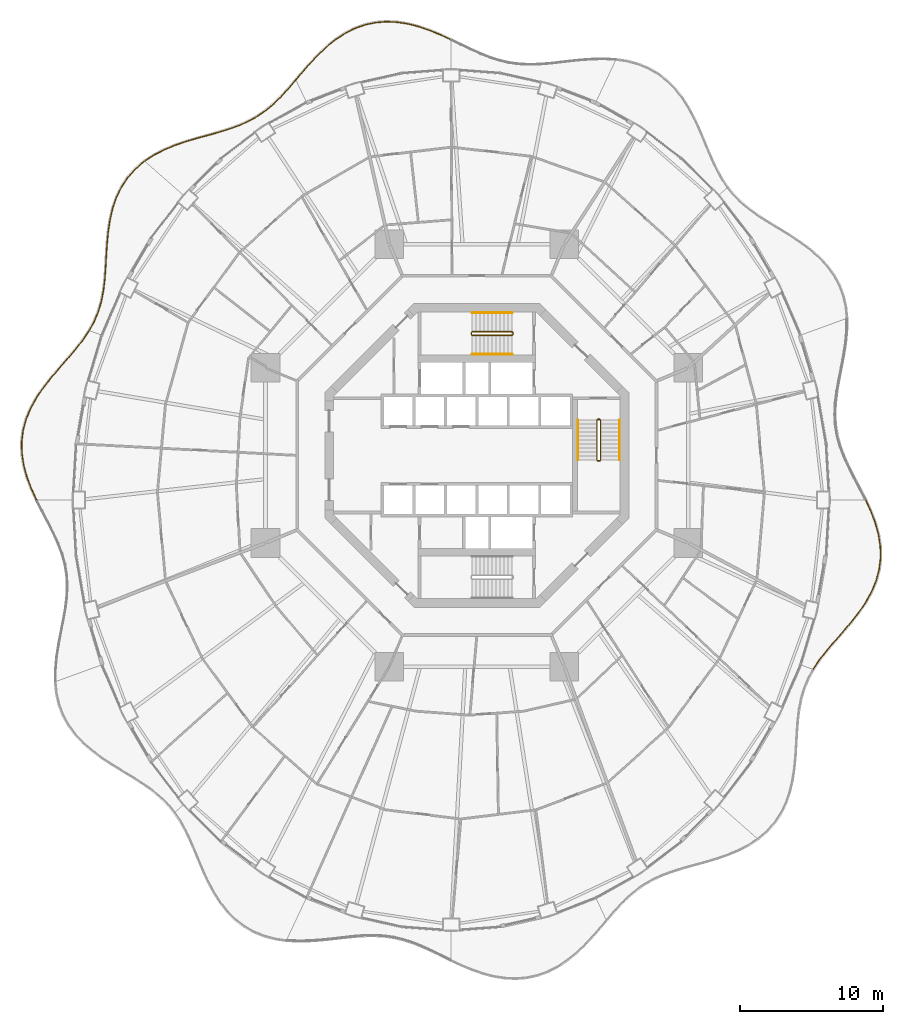
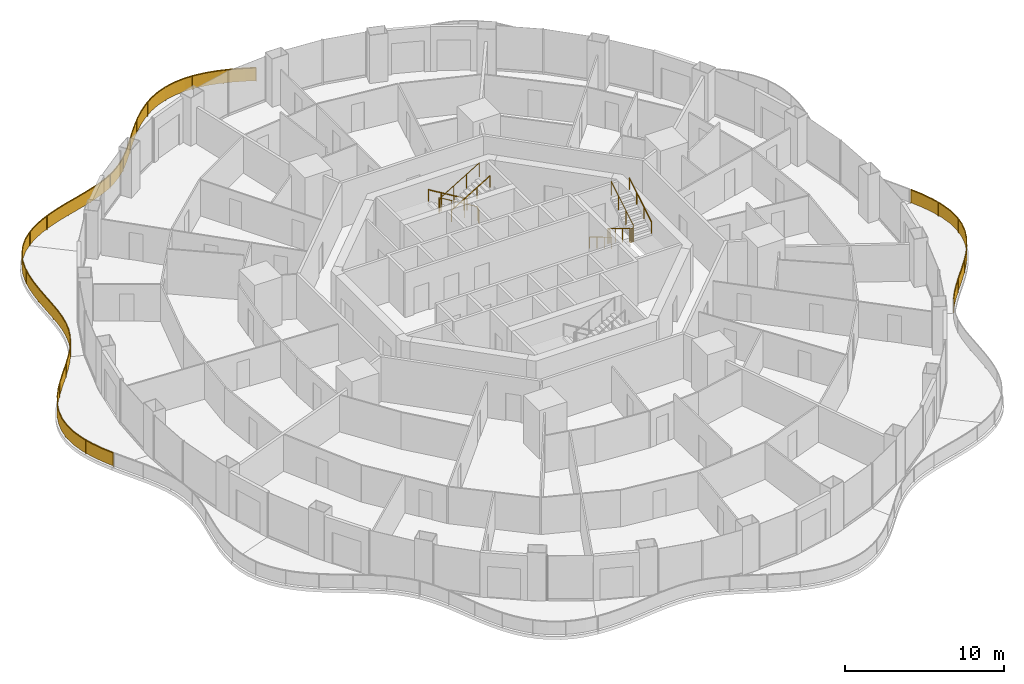
# One storey, part 19 of 20: 11 railings.
"""IFC4 building model written with IfcOpenShell, lengths in metres."""

from ifc_helpers import new_model, si_unit, direction, frame, origin, origin_2d, place, context, subcontext, project, spatial, polyline, rectangle, circle, outline, extrude, material, type_object, element, save


model = new_model("IFC4")

# Units and contexts
model_context = context("Model", 3, precision=1e-05, world=origin(), true_north=direction((0.0, 1.0)))
body_context = subcontext(model_context, "Body", "Model", "MODEL_VIEW")
ifc_project = project(units=[si_unit("LENGTHUNIT", "METRE"), si_unit("AREAUNIT", "SQUARE_METRE"), si_unit("VOLUMEUNIT", "CUBIC_METRE"), si_unit("PLANEANGLEUNIT", "RADIAN"), si_unit("MASSUNIT", "GRAM", prefix="KILO")], contexts=[model_context])

# Site, building, storey
site_placement = place(None, origin())
site = spatial("IfcSite", under=ifc_project, at=site_placement, CompositionType="ELEMENT")
building_placement = place(site_placement, origin())
building = spatial("IfcBuilding", under=site, at=building_placement, Name="Nagisa Residences", CompositionType="ELEMENT")
storey_placement = place(building_placement, frame((0.0, 0.0, 152.89990234375)))
storey = spatial("IfcBuildingStorey", under=building, at=storey_placement, Name="L38", CompositionType="ELEMENT", Elevation=152.89990234375)

# Railings
ifc_material_1 = material(Name="Stainless steel 316", Category="steel")
railing_type_1 = type_object("IfcRailingType", Name="BALCONY GUARD 1100", PredefinedType="BALUSTRADE", material=ifc_material_1)
railing_1_placement = place(storey_placement, frame((-1.834228515625, 29.08935546875, 0.0)))
element("IfcRailing", 1, at=railing_1_placement, inside=storey, type_object=railing_type_1, Name="guard:L38:bal04-0", PredefinedType="BALUSTRADE", context=body_context, shape_type="SweptSolid", body=[
    extrude(outline(polyline([(-0.69189453125, 0.2958984375), (-0.010498046875, -0.022705078125), (0.010498046875, 0.022705078125), (-0.671875, 0.341796875), (-1.416748046875, 0.65087890625), (-2.177734375, 0.914306640625), (-2.950439453125, 1.114990234375), (-3.727294921875, 1.238525390625), (-4.487548828125, 1.275390625), (-5.25390625, 1.21337890625), (-6.00244140625, 1.052001953125), (-6.72607421875, 0.793212890625), (-7.418701171875, 0.443359375), (-8.0595703125, 0.017578125), (-8.68017578125, -0.48095703125), (-9.265380859375, -1.030029296875), (-9.818359375, -1.613037109375), (-10.343994140625, -2.2109375), (-10.818603515625, -2.773681640625), (-10.780517578125, -2.805908203125), (-10.305908203125, -2.24365234375), (-9.78125, -1.646728515625), (-9.230224609375, -1.065673828125), (-8.6474609375, -0.5185546875), (-8.02978515625, -0.02294921875), (-7.393310546875, 0.39990234375), (-6.7060546875, 0.747314453125), (-5.98876953125, 1.003662109375), (-5.24658203125, 1.16357421875), (-4.486572265625, 1.22509765625), (-3.732666015625, 1.188720703125), (-2.960693359375, 1.066162109375), (-2.1923828125, 0.866455078125), (-1.434326171875, 0.60400390625), (-0.69189453125, 0.2958984375)])), frame((0.0, 0.0, 1.050048828125)), (0.0, 0.0, 1.0), 0.050048828125),
    extrude(outline(polyline([(-0.684814453125, 0.3125), (-0.0029296875, -0.00634765625), (0.0029296875, 0.00634765625), (-0.678955078125, 0.3251953125), (-1.423095703125, 0.634033203125), (-2.18310546875, 0.89697265625), (-2.9541015625, 1.097412109375), (-3.729248046875, 1.220703125), (-4.487060546875, 1.25732421875), (-5.251220703125, 1.1953125), (-5.99755859375, 1.03466796875), (-6.71875, 0.776611328125), (-7.409423828125, 0.427734375), (-8.048828125, 0.0029296875), (-8.66845703125, -0.494384765625), (-9.252685546875, -1.04296875), (-9.804931640625, -1.625244140625), (-10.330322265625, -2.22265625), (-10.804931640625, -2.785400390625), (-10.794189453125, -2.794189453125), (-10.319580078125, -2.23193359375), (-9.794677734375, -1.634521484375), (-9.242919921875, -1.052734375), (-8.6591796875, -0.505126953125), (-8.04052734375, -0.00830078125), (-7.402587890625, 0.41552734375), (-6.71337890625, 0.763916015625), (-5.99365234375, 1.02099609375), (-5.249267578125, 1.181640625), (-4.487060546875, 1.2431640625), (-3.730712890625, 1.20654296875), (-2.95703125, 1.083740234375), (-2.18701171875, 0.8837890625), (-1.427978515625, 0.620849609375), (-0.684814453125, 0.3125)])), frame((0.0, 0.0, 0.06005859375)), (0.0, 0.0, 1.0), 0.989990234375),
    extrude(rectangle(XDim=0.0400390625, YDim=0.0400390625, at=origin_2d()), origin(), (0.0, 0.0, 1.0), 1.050048828125),
    extrude(rectangle(XDim=0.0400390625, YDim=0.0400390625, at=origin_2d()), frame((-1.916015625, 0.797119140625, 0.0)), (0.0, 0.0, 1.0), 1.050048828125),
    extrude(rectangle(XDim=0.0400390625, YDim=0.0400390625, at=origin_2d()), frame((-3.941650390625, 1.223876953125, 0.0)), (0.0, 0.0, 1.0), 1.050048828125),
    extrude(rectangle(XDim=0.0400390625, YDim=0.0400390625, at=origin_2d()), frame((-5.998046875, 1.02685546875, 0.0)), (0.0, 0.0, 1.0), 1.050048828125),
    extrude(rectangle(XDim=0.0400390625, YDim=0.0400390625, at=origin_2d()), frame((-7.85693359375, 0.1220703125, 0.0)), (0.0, 0.0, 1.0), 1.050048828125),
    extrude(rectangle(XDim=0.0400390625, YDim=0.0400390625, at=origin_2d()), frame((-9.42431640625, -1.234130859375, 0.0)), (0.0, 0.0, 1.0), 1.050048828125),
    extrude(rectangle(XDim=0.0400390625, YDim=0.0400390625, at=origin_2d()), frame((-10.799560546875, -2.789794921875, 0.0)), (0.0, 0.0, 1.0), 1.050048828125),
])
railing_2_placement = place(storey_placement, frame((-12.681396484375, 26.240966796875, 0.0)))
element("IfcRailing", 2, at=railing_2_placement, inside=storey, type_object=railing_type_1, Name="guard:L38:bal05-0", PredefinedType="BALUSTRADE", context=body_context, shape_type="SweptSolid", body=[
    extrude(outline(polyline([(-0.464111328125, -0.581298828125), (0.01904296875, -0.016357421875), (-0.01904296875, 0.016357421875), (-0.501708984375, -0.548095703125), (-1.015625, -1.110107421875), (-1.5400390625, -1.62451171875), (-2.08544921875, -2.084228515625), (-2.661376953125, -2.486083984375), (-3.259521484375, -2.822509765625), (-3.912353515625, -3.1181640625), (-4.605712890625, -3.373291015625), (-5.33642578125, -3.60009765625), (-6.097412109375, -3.813720703125), (-6.866455078125, -4.01904296875), (-7.65478515625, -4.25341796875), (-8.435546875, -4.521240234375), (-9.193115234375, -4.835693359375), (-9.911865234375, -5.206787109375), (-10.53759765625, -5.61474609375), (-10.51025390625, -5.65673828125), (-9.886474609375, -5.250244140625), (-9.172119140625, -4.881103515625), (-8.41796875, -4.568115234375), (-7.6396484375, -4.30126953125), (-6.852783203125, -4.0673828125), (-6.084228515625, -3.862060546875), (-5.322265625, -3.64794921875), (-4.589599609375, -3.420654296875), (-3.893310546875, -3.16455078125), (-3.237060546875, -2.867431640625), (-2.634521484375, -2.528564453125), (-2.05517578125, -2.123779296875), (-1.50634765625, -1.66162109375), (-0.9794921875, -1.144775390625), (-0.464111328125, -0.581298828125)])), frame((0.0, 0.0, 1.050048828125)), (0.0, 0.0, 1.0), 0.050048828125),
    extrude(outline(polyline([(-0.477783203125, -0.5693359375), (0.00537109375, -0.004638671875), (-0.00537109375, 0.004638671875), (-0.488037109375, -0.56005859375), (-1.002685546875, -1.12255859375), (-1.52783203125, -1.637939453125), (-2.074462890625, -2.098388671875), (-2.651611328125, -2.50146484375), (-3.25146484375, -2.838623046875), (-3.905517578125, -3.134765625), (-4.599853515625, -3.390380859375), (-5.331298828125, -3.617431640625), (-6.0927734375, -3.8310546875), (-6.861572265625, -4.036376953125), (-7.6494140625, -4.270751953125), (-8.42919921875, -4.5380859375), (-9.185546875, -4.85205078125), (-9.902587890625, -5.222412109375), (-10.52783203125, -5.6298828125), (-10.52001953125, -5.6416015625), (-9.895751953125, -5.234619140625), (-9.1796875, -4.86474609375), (-8.42431640625, -4.55126953125), (-7.64501953125, -4.283935546875), (-6.857666015625, -4.050048828125), (-6.0888671875, -3.8447265625), (-5.327392578125, -3.630615234375), (-4.595458984375, -3.403564453125), (-3.900146484375, -3.14794921875), (-3.2451171875, -2.851318359375), (-2.644287109375, -2.51318359375), (-2.066162109375, -2.109619140625), (-1.5185546875, -1.648193359375), (-0.992431640625, -1.13232421875), (-0.477783203125, -0.5693359375)])), frame((0.0, 0.0, 0.06005859375)), (0.0, 0.0, 1.0), 0.989990234375),
    extrude(rectangle(XDim=0.0400390625, YDim=0.0400390625, at=origin_2d()), origin(), (0.0, 0.0, 1.0), 1.050048828125),
    extrude(rectangle(XDim=0.0400390625, YDim=0.0400390625, at=origin_2d()), frame((-1.371826171875, -1.494384765625, 0.0)), (0.0, 0.0, 1.0), 1.050048828125),
    extrude(rectangle(XDim=0.0400390625, YDim=0.0400390625, at=origin_2d()), frame((-2.99462890625, -2.702392578125, 0.0)), (0.0, 0.0, 1.0), 1.050048828125),
    extrude(rectangle(XDim=0.0400390625, YDim=0.0400390625, at=origin_2d()), frame((-4.864990234375, -3.47998046875, 0.0)), (0.0, 0.0, 1.0), 1.050048828125),
    extrude(rectangle(XDim=0.0400390625, YDim=0.0400390625, at=origin_2d()), frame((-6.81787109375, -4.031982421875, 0.0)), (0.0, 0.0, 1.0), 1.050048828125),
    extrude(rectangle(XDim=0.0400390625, YDim=0.0400390625, at=origin_2d()), frame((-8.741455078125, -4.67529296875, 0.0)), (0.0, 0.0, 1.0), 1.050048828125),
    extrude(rectangle(XDim=0.0400390625, YDim=0.0400390625, at=origin_2d()), frame((-10.52392578125, -5.6357421875, 0.0)), (0.0, 0.0, 1.0), 1.050048828125),
])
railing_3_placement = place(storey_placement, frame((-23.267822265625, 20.559326171875, 0.0)))
element("IfcRailing", 3, at=railing_3_placement, inside=storey, type_object=railing_type_1, Name="guard:L38:bal06-0", PredefinedType="BALUSTRADE", context=body_context, shape_type="SweptSolid", body=[
    extrude(outline(polyline([(-0.57177734375, -0.515380859375), (0.01611328125, -0.01904296875), (-0.01611328125, 0.01904296875), (-0.60693359375, -0.479248046875), (-1.1494140625, -1.083984375), (-1.601318359375, -1.75927734375), (-1.96142578125, -2.496337890625), (-2.2333984375, -3.283447265625), (-2.418212890625, -4.09619140625), (-2.546142578125, -4.944091796875), (-2.62646484375, -5.800048828125), (-2.67919921875, -6.65087890625), (-2.725830078125, -7.4853515625), (-2.781005859375, -8.280029296875), (-2.877197265625, -9.055908203125), (-3.024658203125, -9.796142578125), (-3.235107421875, -10.501953125), (-3.5166015625, -11.176025390625), (-3.850830078125, -11.78857421875), (-3.806884765625, -11.8125), (-3.47119140625, -11.197509765625), (-3.187744140625, -10.5185546875), (-2.975830078125, -9.808349609375), (-2.827880859375, -9.063720703125), (-2.731201171875, -8.284912109375), (-2.676025390625, -7.48828125), (-2.62939453125, -6.65380859375), (-2.57666015625, -5.803955078125), (-2.496337890625, -4.949951171875), (-2.368896484375, -4.10546875), (-2.18505859375, -3.297119140625), (-1.9150390625, -2.515380859375), (-1.557861328125, -1.7841796875), (-1.10986328125, -1.11474609375), (-0.57177734375, -0.515380859375)])), frame((0.0, 0.0, 1.050048828125)), (0.0, 0.0, 1.0), 0.050048828125),
    extrude(outline(polyline([(-0.58447265625, -0.50244140625), (0.00439453125, -0.00537109375), (-0.00439453125, 0.00537109375), (-0.59423828125, -0.4921875), (-1.13525390625, -1.094970703125), (-1.585693359375, -1.768310546875), (-1.94482421875, -2.503173828125), (-2.216064453125, -3.288330078125), (-2.400390625, -4.099609375), (-2.528076171875, -4.9462890625), (-2.608642578125, -5.801513671875), (-2.661376953125, -6.65185546875), (-2.7080078125, -7.486328125), (-2.76318359375, -8.28173828125), (-2.859375, -9.05859375), (-3.007080078125, -9.800537109375), (-3.218017578125, -10.5078125), (-3.500244140625, -11.183837890625), (-3.8349609375, -11.797119140625), (-3.82275390625, -11.803955078125), (-3.487548828125, -11.189697265625), (-3.204833984375, -10.5126953125), (-2.993408203125, -9.803955078125), (-2.845703125, -9.06103515625), (-2.7490234375, -8.283203125), (-2.69384765625, -7.4873046875), (-2.647216796875, -6.65283203125), (-2.594482421875, -5.802490234375), (-2.514404296875, -4.94775390625), (-2.38671875, -4.10205078125), (-2.202392578125, -3.292236328125), (-1.931640625, -2.508544921875), (-1.573486328125, -1.775146484375), (-1.1240234375, -1.103759765625), (-0.58447265625, -0.50244140625)])), frame((0.0, 0.0, 0.06005859375)), (0.0, 0.0, 1.0), 0.989990234375),
    extrude(rectangle(XDim=0.0400390625, YDim=0.0400390625, at=origin_2d()), origin(), (0.0, 0.0, 1.0), 1.050048828125),
    extrude(rectangle(XDim=0.0400390625, YDim=0.0400390625, at=origin_2d()), frame((-1.435302734375, -1.55615234375, 0.0)), (0.0, 0.0, 1.0), 1.050048828125),
    extrude(rectangle(XDim=0.0400390625, YDim=0.0400390625, at=origin_2d()), frame((-2.2587890625, -3.50830078125, 0.0)), (0.0, 0.0, 1.0), 1.050048828125),
    extrude(rectangle(XDim=0.0400390625, YDim=0.0400390625, at=origin_2d()), frame((-2.58349609375, -5.6103515625, 0.0)), (0.0, 0.0, 1.0), 1.050048828125),
    extrude(rectangle(XDim=0.0400390625, YDim=0.0400390625, at=origin_2d()), frame((-2.71826171875, -7.735595703125, 0.0)), (0.0, 0.0, 1.0), 1.050048828125),
    extrude(rectangle(XDim=0.0400390625, YDim=0.0400390625, at=origin_2d()), frame((-3.011962890625, -9.842041015625, 0.0)), (0.0, 0.0, 1.0), 1.050048828125),
    extrude(rectangle(XDim=0.0400390625, YDim=0.0400390625, at=origin_2d()), frame((-3.828857421875, -11.800537109375, 0.0)), (0.0, 0.0, 1.0), 1.050048828125),
])
railing_4_placement = place(storey_placement, frame((-27.134765625, 8.699462890625, 0.0)))
element("IfcRailing", 4, at=railing_4_placement, inside=storey, type_object=railing_type_1, Name="guard:L38:bal07-0", PredefinedType="BALUSTRADE", context=body_context, shape_type="SweptSolid", body=[
    extrude(outline(polyline([(-0.39501953125, -0.631591796875), (0.020751953125, -0.013916015625), (-0.020751953125, 0.013916015625), (-0.435546875, -0.602294921875), (-0.935302734375, -1.24365234375), (-1.480712890625, -1.885498046875), (-2.051025390625, -2.537109375), (-2.621826171875, -3.206298828125), (-3.1640625, -3.885498046875), (-3.658935546875, -4.606201171875), (-4.079345703125, -5.355224609375), (-4.40625, -6.131103515625), (-4.625, -6.9306640625), (-4.725830078125, -7.73388671875), (-4.71044921875, -8.56103515625), (-4.583740234375, -9.391357421875), (-4.3583984375, -10.217529296875), (-4.052001953125, -11.033447265625), (-3.7041015625, -11.79296875), (-3.65869140625, -11.77197265625), (-4.005615234375, -11.014404296875), (-4.310546875, -10.201904296875), (-4.534912109375, -9.381103515625), (-4.66064453125, -8.556640625), (-4.675537109375, -7.736328125), (-4.57568359375, -6.9404296875), (-4.35888671875, -6.147705078125), (-4.034423828125, -5.377197265625), (-3.616455078125, -4.632568359375), (-3.1240234375, -3.915283203125), (-2.583251953125, -3.238037109375), (-2.012939453125, -2.56982421875), (-1.442626953125, -1.918212890625), (-0.896240234375, -1.275390625), (-0.39501953125, -0.631591796875)])), frame((0.0, 0.0, 1.050048828125)), (0.0, 0.0, 1.0), 0.050048828125),
    extrude(outline(polyline([(-0.40966796875, -0.62109375), (0.005859375, -0.00390625), (-0.005859375, 0.00390625), (-0.4208984375, -0.61279296875), (-0.921142578125, -1.255126953125), (-1.467041015625, -1.897216796875), (-2.037353515625, -2.548828125), (-2.60791015625, -3.2177734375), (-3.149658203125, -3.896240234375), (-3.6435546875, -4.61572265625), (-4.063232421875, -5.363037109375), (-4.38916015625, -6.13720703125), (-4.607177734375, -6.93408203125), (-4.707763671875, -7.734619140625), (-4.692626953125, -8.559326171875), (-4.566162109375, -9.3876953125), (-4.341064453125, -10.2119140625), (-4.03515625, -11.026611328125), (-3.687744140625, -11.785400390625), (-3.675048828125, -11.779541015625), (-4.0224609375, -11.021240234375), (-4.327880859375, -10.20751953125), (-4.552490234375, -9.384765625), (-4.678466796875, -8.558349609375), (-4.693603515625, -7.735595703125), (-4.593505859375, -6.93701171875), (-4.3759765625, -6.1416015625), (-4.050537109375, -5.369384765625), (-3.6318359375, -4.623046875), (-3.138427734375, -3.904541015625), (-2.59716796875, -3.2265625), (-2.026611328125, -2.55810546875), (-1.456298828125, -1.906494140625), (-0.910400390625, -1.263916015625), (-0.40966796875, -0.62109375)])), frame((0.0, 0.0, 0.06005859375)), (0.0, 0.0, 1.0), 0.989990234375),
    extrude(rectangle(XDim=0.0400390625, YDim=0.0400390625, at=origin_2d()), origin(), (0.0, 0.0, 1.0), 1.050048828125),
    extrude(rectangle(XDim=0.0400390625, YDim=0.0400390625, at=origin_2d()), frame((-1.3564453125, -1.77783203125, 0.0)), (0.0, 0.0, 1.0), 1.050048828125),
    extrude(rectangle(XDim=0.0400390625, YDim=0.0400390625, at=origin_2d()), frame((-2.80908203125, -3.480712890625, 0.0)), (0.0, 0.0, 1.0), 1.050048828125),
    extrude(rectangle(XDim=0.0400390625, YDim=0.0400390625, at=origin_2d()), frame((-4.043701171875, -5.3427734375, 0.0)), (0.0, 0.0, 1.0), 1.050048828125),
    extrude(rectangle(XDim=0.0400390625, YDim=0.0400390625, at=origin_2d()), frame((-4.66845703125, -7.478515625, 0.0)), (0.0, 0.0, 1.0), 1.050048828125),
    extrude(rectangle(XDim=0.0400390625, YDim=0.0400390625, at=origin_2d()), frame((-4.475341796875, -9.694091796875, 0.0)), (0.0, 0.0, 1.0), 1.050048828125),
    extrude(rectangle(XDim=0.0400390625, YDim=0.0400390625, at=origin_2d()), frame((-3.681396484375, -11.782470703125, 0.0)), (0.0, 0.0, 1.0), 1.050048828125),
])
railing_5_placement = place(storey_placement, frame((23.534912109375, -14.934814453125, 0.0)))
element("IfcRailing", 5, at=railing_5_placement, inside=storey, type_object=railing_type_1, Name="guard:L38:bal15-0", PredefinedType="BALUSTRADE", context=body_context, shape_type="SweptSolid", body=[
    extrude(outline(polyline([(0.39501953125, 0.631591796875), (-0.020751953125, 0.013916015625), (0.020751953125, -0.013916015625), (0.435546875, 0.602294921875), (0.93505859375, 1.24365234375), (1.48046875, 1.885498046875), (2.05078125, 2.537109375), (2.62158203125, 3.206298828125), (3.163818359375, 3.885498046875), (3.65869140625, 4.606201171875), (4.079345703125, 5.355224609375), (4.40625, 6.131103515625), (4.625, 6.9306640625), (4.7255859375, 7.73388671875), (4.71044921875, 8.56103515625), (4.583740234375, 9.39111328125), (4.358154296875, 10.217529296875), (4.0517578125, 11.033203125), (3.7041015625, 11.79296875), (3.65869140625, 11.77197265625), (4.00537109375, 11.01416015625), (4.310302734375, 10.201904296875), (4.534912109375, 9.380859375), (4.66064453125, 8.556640625), (4.67529296875, 7.736328125), (4.57568359375, 6.9404296875), (4.35888671875, 6.147705078125), (4.034423828125, 5.377197265625), (3.6162109375, 4.632568359375), (3.123779296875, 3.915283203125), (2.5830078125, 3.238037109375), (2.0126953125, 2.56982421875), (1.4423828125, 1.918212890625), (0.89599609375, 1.275390625), (0.39501953125, 0.631591796875)])), frame((0.0, 0.0, 1.050048828125)), (0.0, 0.0, 1.0), 0.050048828125),
    extrude(outline(polyline([(0.40966796875, 0.62109375), (-0.005859375, 0.00390625), (0.005859375, -0.00390625), (0.4208984375, 0.61279296875), (0.9208984375, 1.255126953125), (1.466796875, 1.897216796875), (2.037109375, 2.548828125), (2.607666015625, 3.2177734375), (3.1494140625, 3.896240234375), (3.643310546875, 4.61572265625), (4.063232421875, 5.363037109375), (4.38916015625, 6.13720703125), (4.607177734375, 6.93408203125), (4.70751953125, 7.734619140625), (4.692626953125, 8.559326171875), (4.566162109375, 9.387451171875), (4.3408203125, 10.2119140625), (4.034912109375, 11.0263671875), (3.687744140625, 11.785400390625), (3.675048828125, 11.779541015625), (4.022216796875, 11.02099609375), (4.32763671875, 10.20751953125), (4.552490234375, 9.384521484375), (4.678466796875, 8.558349609375), (4.693359375, 7.735595703125), (4.593505859375, 6.93701171875), (4.3759765625, 6.1416015625), (4.050537109375, 5.369384765625), (3.631591796875, 4.623046875), (3.13818359375, 3.904541015625), (2.596923828125, 3.2265625), (2.0263671875, 2.55810546875), (1.4560546875, 1.906494140625), (0.91015625, 1.263916015625), (0.40966796875, 0.62109375)])), frame((0.0, 0.0, 0.06005859375)), (0.0, 0.0, 1.0), 0.989990234375),
    extrude(rectangle(XDim=0.0400390625, YDim=0.0400390625, at=origin_2d()), origin(), (0.0, 0.0, 1.0), 1.050048828125),
    extrude(rectangle(XDim=0.0400390625, YDim=0.0400390625, at=origin_2d()), frame((1.356201171875, 1.778076171875, 0.0)), (0.0, 0.0, 1.0), 1.050048828125),
    extrude(rectangle(XDim=0.0400390625, YDim=0.0400390625, at=origin_2d()), frame((2.808837890625, 3.48095703125, 0.0)), (0.0, 0.0, 1.0), 1.050048828125),
    extrude(rectangle(XDim=0.0400390625, YDim=0.0400390625, at=origin_2d()), frame((4.043701171875, 5.3427734375, 0.0)), (0.0, 0.0, 1.0), 1.050048828125),
    extrude(rectangle(XDim=0.0400390625, YDim=0.0400390625, at=origin_2d()), frame((4.668212890625, 7.478515625, 0.0)), (0.0, 0.0, 1.0), 1.050048828125),
    extrude(rectangle(XDim=0.0400390625, YDim=0.0400390625, at=origin_2d()), frame((4.47509765625, 9.694091796875, 0.0)), (0.0, 0.0, 1.0), 1.050048828125),
    extrude(rectangle(XDim=0.0400390625, YDim=0.0400390625, at=origin_2d()), frame((3.681396484375, 11.782470703125, 0.0)), (0.0, 0.0, 1.0), 1.050048828125),
])
ifc_material_2 = material(Name="Stainless steel", Category="steel")
railing_type_2 = type_object("IfcRailingType", Name="Stair guard 1100", PredefinedType="GUARDRAIL", material=ifc_material_2)
railing_6_placement = place(storey_placement, frame((8.599609375, 2.52490234375, 0.0)))
element("IfcRailing", 6, at=railing_6_placement, inside=storey, type_object=railing_type_2, Name="L38 ST-E stair guard 1", PredefinedType="GUARDRAIL", context=body_context, shape_type="SweptSolid", body=[
    extrude(circle(Radius=0.02392578125, at=origin_2d()), frame((0.0, 0.0, 1.076171875), z_axis=(-1.0, 0.0, 0.0), x_axis=(0.0, -1.0, 0.0)), (0.0, 0.0, 1.0), 0.14990234375),
    extrude(circle(Radius=0.02392578125, at=origin_2d()), frame((-0.14990234375, 0.0, 1.076171875), z_axis=(-0.27434429532, -0.273006030465, 0.922064485248), x_axis=(0.705375805398, -0.708833529934, 0.0)), (0.0, 0.0, 1.0), 0.182373046875),
    extrude(circle(Radius=0.02392578125, at=origin_2d()), frame((-0.199951171875, -0.0498046875, 1.244140625), z_axis=(0.0, -0.857242210791, 0.514913383045), x_axis=(1.0, 0.0, 0.0)), (0.0, 0.0, 1.0), 3.266357421875),
    extrude(circle(Radius=0.02392578125, at=origin_2d()), frame((-0.199951171875, -2.849853515625, 2.92626953125), z_axis=(0.707106781187, -0.707106781187, 0.0), x_axis=(0.707106781187, 0.707106781187, 0.0)), (0.0, 0.0, 1.0), 0.07080078125),
    extrude(circle(Radius=0.02392578125, at=origin_2d()), frame((-0.14990234375, -2.89990234375, 2.92626953125), z_axis=(1.0, 0.0, 0.0), x_axis=(0.0, 1.0, 0.0)), (0.0, 0.0, 1.0), 0.14990234375),
    extrude(circle(Radius=0.02392578125, at=origin_2d()), frame((0.0, -2.89990234375, 2.92626953125), z_axis=(0.274243871929, 0.274243871929, 0.92172696468), x_axis=(-0.707106781187, 0.707106781187, 0.0)), (0.0, 0.0, 1.0), 0.1826171875),
    extrude(circle(Radius=0.02392578125, at=origin_2d()), frame((0.050048828125, -2.849853515625, 3.09423828125), z_axis=(0.0, 0.857242210791, 0.514913383045), x_axis=(-1.0, 0.0, 0.0)), (0.0, 0.0, 1.0), 3.266357421875),
    extrude(circle(Radius=0.02099609375, at=origin_2d()), origin(), (0.0, 0.0, 1.0), 1.052001953125),
    extrude(circle(Radius=0.02099609375, at=origin_2d()), frame((-0.14990234375, 0.0, 0.0)), (0.0, 0.0, 1.0), 1.052001953125),
    extrude(circle(Radius=0.02099609375, at=origin_2d()), frame((-0.199951171875, -0.0498046875, 0.168212890625)), (0.0, 0.0, 1.0), 1.052001953125),
    extrude(circle(Radius=0.02099609375, at=origin_2d()), frame((-0.199951171875, -0.983154296875, 0.728759765625)), (0.0, 0.0, 1.0), 1.052001953125),
    extrude(circle(Radius=0.02099609375, at=origin_2d()), frame((-0.199951171875, -1.91650390625, 1.28955078125)), (0.0, 0.0, 1.0), 1.052001953125),
    extrude(circle(Radius=0.02099609375, at=origin_2d()), frame((-0.199951171875, -2.849853515625, 1.85009765625)), (0.0, 0.0, 1.0), 1.052001953125),
    extrude(circle(Radius=0.02099609375, at=origin_2d()), frame((-0.14990234375, -2.89990234375, 1.85009765625)), (0.0, 0.0, 1.0), 1.052001953125),
    extrude(circle(Radius=0.02099609375, at=origin_2d()), frame((0.0, -2.89990234375, 1.85009765625)), (0.0, 0.0, 1.0), 1.052001953125),
    extrude(circle(Radius=0.02099609375, at=origin_2d()), frame((0.050048828125, -2.849853515625, 2.018310546875)), (0.0, 0.0, 1.0), 1.052001953125),
    extrude(circle(Radius=0.02099609375, at=origin_2d()), frame((0.050048828125, -1.91650390625, 2.578857421875)), (0.0, 0.0, 1.0), 1.052001953125),
    extrude(circle(Radius=0.02099609375, at=origin_2d()), frame((0.050048828125, -0.983154296875, 3.1396484375)), (0.0, 0.0, 1.0), 1.052001953125),
    extrude(circle(Radius=0.02099609375, at=origin_2d()), frame((0.050048828125, -0.0498046875, 3.7001953125)), (0.0, 0.0, 1.0), 1.052001953125),
])
railing_7_placement = place(storey_placement, frame((2.52490234375, 8.44970703125, 0.0)))
element("IfcRailing", 7, at=railing_7_placement, inside=storey, type_object=railing_type_2, Name="L38 ST-N stair guard 1", PredefinedType="GUARDRAIL", context=body_context, shape_type="SweptSolid", body=[
    extrude(circle(Radius=0.02392578125, at=origin_2d()), frame((0.0, 0.0, 1.076171875), z_axis=(0.0, 1.0, 0.0), x_axis=(-1.0, 0.0, 0.0)), (0.0, 0.0, 1.0), 0.14990234375),
    extrude(circle(Radius=0.02392578125, at=origin_2d()), frame((0.0, 0.14990234375, 1.076171875), z_axis=(-0.273006030465, 0.27434429532, 0.922064485248), x_axis=(-0.708833529934, -0.705375805398, 0.0)), (0.0, 0.0, 1.0), 0.182373046875),
    extrude(circle(Radius=0.02392578125, at=origin_2d()), frame((-0.0498046875, 0.199951171875, 1.244140625), z_axis=(-0.857242210791, 0.0, 0.514913383045), x_axis=(0.0, -1.0, 0.0)), (0.0, 0.0, 1.0), 3.266357421875),
    extrude(circle(Radius=0.02392578125, at=origin_2d()), frame((-2.849853515625, 0.199951171875, 2.92626953125), z_axis=(-0.707106781187, -0.707106781187, 0.0), x_axis=(0.707106781187, -0.707106781187, 0.0)), (0.0, 0.0, 1.0), 0.07080078125),
    extrude(circle(Radius=0.02392578125, at=origin_2d()), frame((-2.89990234375, 0.14990234375, 2.92626953125), z_axis=(0.0, -1.0, 0.0), x_axis=(1.0, 0.0, 0.0)), (0.0, 0.0, 1.0), 0.14990234375),
    extrude(circle(Radius=0.02392578125, at=origin_2d()), frame((-2.89990234375, 0.0, 2.92626953125), z_axis=(0.274243871929, -0.274243871929, 0.92172696468), x_axis=(0.707106781187, 0.707106781187, 0.0)), (0.0, 0.0, 1.0), 0.1826171875),
    extrude(circle(Radius=0.02392578125, at=origin_2d()), frame((-2.849853515625, -0.050048828125, 3.09423828125), z_axis=(0.857242210791, 0.0, 0.514913383045), x_axis=(0.0, 1.0, 0.0)), (0.0, 0.0, 1.0), 3.266357421875),
    extrude(circle(Radius=0.02099609375, at=origin_2d()), origin(), (0.0, 0.0, 1.0), 1.052001953125),
    extrude(circle(Radius=0.02099609375, at=origin_2d()), frame((0.0, 0.14990234375, 0.0)), (0.0, 0.0, 1.0), 1.052001953125),
    extrude(circle(Radius=0.02099609375, at=origin_2d()), frame((-0.0498046875, 0.199951171875, 0.168212890625)), (0.0, 0.0, 1.0), 1.052001953125),
    extrude(circle(Radius=0.02099609375, at=origin_2d()), frame((-0.983154296875, 0.199951171875, 0.728759765625)), (0.0, 0.0, 1.0), 1.052001953125),
    extrude(circle(Radius=0.02099609375, at=origin_2d()), frame((-1.91650390625, 0.199951171875, 1.28955078125)), (0.0, 0.0, 1.0), 1.052001953125),
    extrude(circle(Radius=0.02099609375, at=origin_2d()), frame((-2.849853515625, 0.199951171875, 1.85009765625)), (0.0, 0.0, 1.0), 1.052001953125),
    extrude(circle(Radius=0.02099609375, at=origin_2d()), frame((-2.89990234375, 0.14990234375, 1.85009765625)), (0.0, 0.0, 1.0), 1.052001953125),
    extrude(circle(Radius=0.02099609375, at=origin_2d()), frame((-2.89990234375, 0.0, 1.85009765625)), (0.0, 0.0, 1.0), 1.052001953125),
    extrude(circle(Radius=0.02099609375, at=origin_2d()), frame((-2.849853515625, -0.050048828125, 2.018310546875)), (0.0, 0.0, 1.0), 1.052001953125),
    extrude(circle(Radius=0.02099609375, at=origin_2d()), frame((-1.91650390625, -0.050048828125, 2.578857421875)), (0.0, 0.0, 1.0), 1.052001953125),
    extrude(circle(Radius=0.02099609375, at=origin_2d()), frame((-0.983154296875, -0.050048828125, 3.1396484375)), (0.0, 0.0, 1.0), 1.052001953125),
    extrude(circle(Radius=0.02099609375, at=origin_2d()), frame((-0.0498046875, -0.050048828125, 3.7001953125)), (0.0, 0.0, 1.0), 1.052001953125),
])
ifc_material_3 = material(Name="Stainless steel", Category="steel")
railing_type_3 = type_object("IfcRailingType", Name="Stair handrail 900", PredefinedType="HANDRAIL", material=ifc_material_3)
railing_8_placement = place(storey_placement, frame((7.07470703125, 2.47509765625, 0.168212890625)))
element("IfcRailing", 8, at=railing_8_placement, inside=storey, type_object=railing_type_3, Name="L38 ST-E stair handrail 1", PredefinedType="HANDRAIL", context=body_context, shape_type="SweptSolid", body=[
    extrude(circle(Radius=0.02392578125, at=origin_2d()), frame((0.0, 0.0, 0.8759765625), z_axis=(0.0, -0.857242210791, 0.514913383045), x_axis=(1.0, 0.0, 0.0)), (0.0, 0.0, 1.0), 3.266357421875),
    extrude(circle(Radius=0.02099609375, at=origin_2d()), origin(), (0.0, 0.0, 1.0), 0.851806640625),
    extrude(circle(Radius=0.02099609375, at=origin_2d()), frame((0.0, -0.933349609375, 0.560546875)), (0.0, 0.0, 1.0), 0.851806640625),
    extrude(circle(Radius=0.02099609375, at=origin_2d()), frame((0.0, -1.86669921875, 1.121337890625)), (0.0, 0.0, 1.0), 0.851806640625),
    extrude(circle(Radius=0.02099609375, at=origin_2d()), frame((0.0, -2.800048828125, 1.681884765625)), (0.0, 0.0, 1.0), 0.851806640625),
])
railing_9_placement = place(storey_placement, frame((9.974609375, -0.324951171875, 2.018310546875)))
element("IfcRailing", 9, at=railing_9_placement, inside=storey, type_object=railing_type_3, Name="L38 ST-E stair handrail 2", PredefinedType="HANDRAIL", context=body_context, shape_type="SweptSolid", body=[
    extrude(circle(Radius=0.02392578125, at=origin_2d()), frame((0.0, 0.0, 0.8759765625), z_axis=(0.0, 0.857242210791, 0.514913383045), x_axis=(-1.0, 0.0, 0.0)), (0.0, 0.0, 1.0), 3.266357421875),
    extrude(circle(Radius=0.02099609375, at=origin_2d()), origin(), (0.0, 0.0, 1.0), 0.851806640625),
    extrude(circle(Radius=0.02099609375, at=origin_2d()), frame((0.0, 0.933349609375, 0.560546875)), (0.0, 0.0, 1.0), 0.851806640625),
    extrude(circle(Radius=0.02099609375, at=origin_2d()), frame((0.0, 1.86669921875, 1.121337890625)), (0.0, 0.0, 1.0), 0.851806640625),
    extrude(circle(Radius=0.02099609375, at=origin_2d()), frame((0.0, 2.800048828125, 1.681884765625)), (0.0, 0.0, 1.0), 0.851806640625),
])
railing_10_placement = place(storey_placement, frame((2.47509765625, 9.974609375, 0.168212890625)))
element("IfcRailing", 10, at=railing_10_placement, inside=storey, type_object=railing_type_3, Name="L38 ST-N stair handrail 1", PredefinedType="HANDRAIL", context=body_context, shape_type="SweptSolid", body=[
    extrude(circle(Radius=0.02392578125, at=origin_2d()), frame((0.0, 0.0, 0.8759765625), z_axis=(-0.857242210791, 0.0, 0.514913383045), x_axis=(0.0, -1.0, 0.0)), (0.0, 0.0, 1.0), 3.266357421875),
    extrude(circle(Radius=0.02099609375, at=origin_2d()), origin(), (0.0, 0.0, 1.0), 0.851806640625),
    extrude(circle(Radius=0.02099609375, at=origin_2d()), frame((-0.933349609375, 0.0, 0.560546875)), (0.0, 0.0, 1.0), 0.851806640625),
    extrude(circle(Radius=0.02099609375, at=origin_2d()), frame((-1.86669921875, 0.0, 1.121337890625)), (0.0, 0.0, 1.0), 0.851806640625),
    extrude(circle(Radius=0.02099609375, at=origin_2d()), frame((-2.800048828125, 0.0, 1.681884765625)), (0.0, 0.0, 1.0), 0.851806640625),
])
railing_11_placement = place(storey_placement, frame((-0.324951171875, 7.07470703125, 2.018310546875)))
element("IfcRailing", 11, at=railing_11_placement, inside=storey, type_object=railing_type_3, Name="L38 ST-N stair handrail 2", PredefinedType="HANDRAIL", context=body_context, shape_type="SweptSolid", body=[
    extrude(circle(Radius=0.02392578125, at=origin_2d()), frame((0.0, 0.0, 0.8759765625), z_axis=(0.857242210791, 0.0, 0.514913383045), x_axis=(0.0, 1.0, 0.0)), (0.0, 0.0, 1.0), 3.266357421875),
    extrude(circle(Radius=0.02099609375, at=origin_2d()), origin(), (0.0, 0.0, 1.0), 0.851806640625),
    extrude(circle(Radius=0.02099609375, at=origin_2d()), frame((0.933349609375, 0.0, 0.560546875)), (0.0, 0.0, 1.0), 0.851806640625),
    extrude(circle(Radius=0.02099609375, at=origin_2d()), frame((1.86669921875, 0.0, 1.121337890625)), (0.0, 0.0, 1.0), 0.851806640625),
    extrude(circle(Radius=0.02099609375, at=origin_2d()), frame((2.800048828125, 0.0, 1.681884765625)), (0.0, 0.0, 1.0), 0.851806640625),
])

save(model, "model.ifc")
